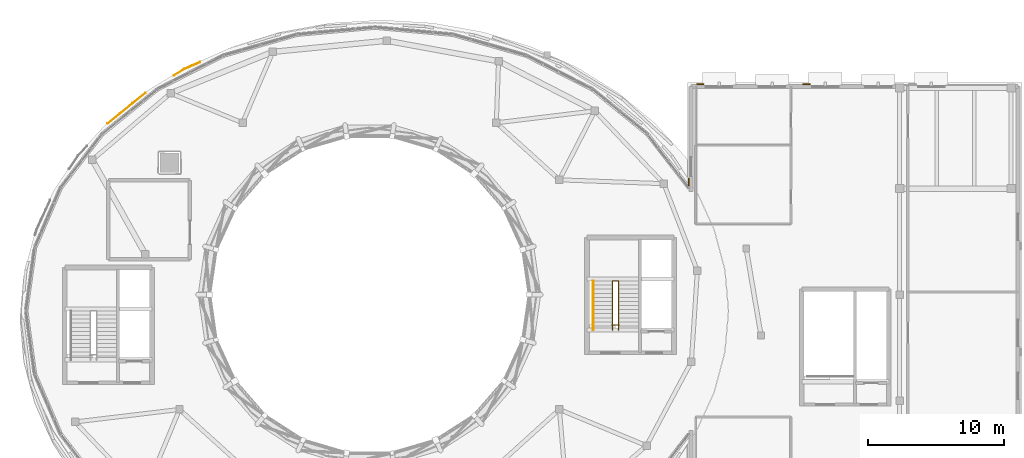
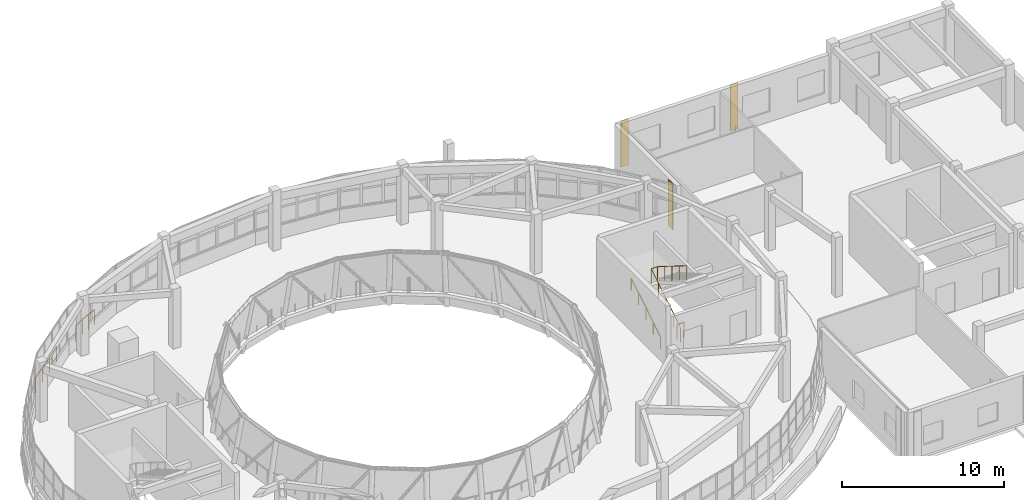
# One storey, part 45 of 46: 5 railings, 3 coverings.
"""IFC4 building model written with IfcOpenShell, lengths in metres."""

from ifc_helpers import new_model, si_unit, direction, frame, origin, origin_2d, place, context, subcontext, project, spatial, rectangle, circle, extrude, material, layer, layer_set, type_object, element, save


model = new_model("IFC4")

# Units and contexts
model_context = context("Model", 3, precision=1e-05, world=origin(), true_north=direction((0.0, 1.0)))
body_context = subcontext(model_context, "Body", "Model", "MODEL_VIEW")
ifc_project = project(units=[si_unit("LENGTHUNIT", "METRE"), si_unit("AREAUNIT", "SQUARE_METRE"), si_unit("VOLUMEUNIT", "CUBIC_METRE"), si_unit("PLANEANGLEUNIT", "RADIAN"), si_unit("MASSUNIT", "GRAM", prefix="KILO")], contexts=[model_context])

# Site, building, storey
site_placement = place(None, origin())
site = spatial("IfcSite", under=ifc_project, at=site_placement, CompositionType="ELEMENT")
building_placement = place(site_placement, origin())
building = spatial("IfcBuilding", under=site, at=building_placement, Name="Pelvatis Terrace Science Centre", CompositionType="ELEMENT")
storey_placement = place(building_placement, frame((0.0, 0.0, 19.800048828125)))
storey = spatial("IfcBuildingStorey", under=building, at=storey_placement, Name="L04", CompositionType="ELEMENT", Elevation=19.800048828125)

# Coverings
ifc_material_1 = material(Name="Fluted warm stone-aggregate precast facade relief panel", Category="masonry")
ifc_layer = layer(ifc_material_1, 0.054931640625)
ifc_layer_set = layer_set([ifc_layer], Name="Fluted warm stone-aggregate precast facade relief panel")
covering_type = type_object("IfcCoveringType", Name="COV-CLAD-PREC-55", PredefinedType="CLADDING", material=ifc_layer_set)
for number, where, z_axis, x_axis, name in (
    (1, (133.530029296875, 101.2724609375, 0.06005859375), (0.0, 0.0, 1.0), (1.0, 0.0, 0.0), "Classical fluted stone pilaster strip 80"),
    (2, (141.330078125, 101.2724609375, 0.06005859375), (0.0, 0.0, 1.0), (1.0, 0.0, 0.0), "Classical fluted stone pilaster strip 81"),
):
    element("IfcCovering", number, at=place(storey_placement, frame(where, z_axis=z_axis, x_axis=x_axis)), inside=storey, type_object=covering_type, Name=name, PredefinedType="CLADDING", context=body_context, shape_type="SweptSolid", body=[
        extrude(rectangle(XDim=0.550048828125, YDim=0.054931640625, at=origin_2d()), origin(), (0.0, 0.0, 1.0), 3.449951171875),
    ])
covering_placement = place(storey_placement, frame((132.677490234375, 94.080078125, 0.06005859375), z_axis=(0.0, 0.0, 1.0), x_axis=(1.0, 0.0, 0.0)))
element("IfcCovering", 3, at=covering_placement, inside=storey, type_object=covering_type, Name="Classical fluted stone pilaster strip 87", PredefinedType="CLADDING", context=body_context, shape_type="SweptSolid", body=[
    extrude(rectangle(XDim=0.054931640625, YDim=0.550048828125, at=origin_2d()), origin(), (0.0, 0.0, 1.0), 3.449951171875),
])

# Railings
ifc_material_2 = material(Name="Bronze-anodised aluminium and laminated safety glass balustrade", Category="aluminium")
railing_type_1 = type_object("IfcRailingType", Name="RLG-BAL-1150", PredefinedType="BALUSTRADE", material=ifc_material_2)
railing_1_placement = place(storey_placement, frame((89.9326171875, 98.374755859375, 0.0)))
element("IfcRailing", 4, at=railing_1_placement, inside=storey, type_object=railing_type_1, Name="Perimeter edge balustrade RLG-EDG-L04-386", PredefinedType="BALUSTRADE", context=body_context, shape_type="SweptSolid", body=[
    extrude(circle(Radius=0.02392578125, at=origin_2d()), frame((0.0, 0.0, 1.1259765625), z_axis=(0.775995585182, 0.630738338599, 0.0), x_axis=(-0.630738338599, 0.775995585182, 0.0)), (0.0, 0.0, 1.0), 3.59521484375),
    extrude(circle(Radius=0.02099609375, at=origin_2d()), origin(), (0.0, 0.0, 1.0), 1.101806640625),
    extrude(circle(Radius=0.02099609375, at=origin_2d()), frame((0.929931640625, 0.755859375, 0.0)), (0.0, 0.0, 1.0), 1.101806640625),
    extrude(circle(Radius=0.02099609375, at=origin_2d()), frame((1.85986328125, 1.51171875, 0.0)), (0.0, 0.0, 1.0), 1.101806640625),
    extrude(circle(Radius=0.02099609375, at=origin_2d()), frame((2.789794921875, 2.267578125, 0.0)), (0.0, 0.0, 1.0), 1.101806640625),
])
railing_2_placement = place(storey_placement, frame((94.81103515625, 101.91748046875, 0.0)))
element("IfcRailing", 5, at=railing_2_placement, inside=storey, type_object=railing_type_1, Name="Perimeter edge balustrade RLG-EDG-L04-387", PredefinedType="BALUSTRADE", context=body_context, shape_type="SweptSolid", body=[
    extrude(circle(Radius=0.02392578125, at=origin_2d()), frame((0.0, 0.0, 1.1259765625), z_axis=(0.85364754379, 0.520851102505, 0.0), x_axis=(-0.520851102505, 0.85364754379, 0.0)), (0.0, 0.0, 1.0), 0.890625),
    extrude(circle(Radius=0.02392578125, at=origin_2d()), frame((0.76025390625, 0.4638671875, 1.1259765625), z_axis=(0.913524848842, 0.406782928044, 0.0), x_axis=(-0.406782928044, 0.913524848842, 0.0)), (0.0, 0.0, 1.0), 1.26513671875),
    extrude(circle(Radius=0.02099609375, at=origin_2d()), origin(), (0.0, 0.0, 1.0), 1.101806640625),
    extrude(circle(Radius=0.02099609375, at=origin_2d()), frame((0.76025390625, 0.4638671875, 0.0)), (0.0, 0.0, 1.0), 1.101806640625),
    extrude(circle(Radius=0.02099609375, at=origin_2d()), frame((1.338134765625, 0.72119140625, 0.0)), (0.0, 0.0, 1.0), 1.101806640625),
    extrude(circle(Radius=0.02099609375, at=origin_2d()), frame((1.916015625, 0.978515625, 0.0)), (0.0, 0.0, 1.0), 1.101806640625),
])
ifc_material_3 = material(Name="Brushed architectural bronze tubular railing", Category="steel")
railing_type_2 = type_object("IfcRailingType", Name="RLG-GRD-1120", PredefinedType="GUARDRAIL", material=ifc_material_3)
railing_3_placement = place(storey_placement, frame((127.080078125, 83.199951171875, 0.0)))
element("IfcRailing", 6, at=railing_3_placement, inside=storey, type_object=railing_type_2, Name="Stair ST-02-L04 inner well guardrail", PredefinedType="GUARDRAIL", context=body_context, shape_type="SweptSolid", body=[
    extrude(circle(Radius=0.02392578125, at=origin_2d()), frame((0.0, 0.0, 1.09619140625), z_axis=(0.0, 0.848004765453, 0.529988601547), x_axis=(-1.0, 0.0, 0.0)), (0.0, 0.0, 1.0), 4.245361328125),
    extrude(circle(Radius=0.02392578125, at=origin_2d()), frame((0.0, 3.60009765625, 3.34619140625), z_axis=(1.0, 0.0, 0.0), x_axis=(0.0, 1.0, 0.0)), (0.0, 0.0, 1.0), 0.43994140625),
    extrude(circle(Radius=0.02392578125, at=origin_2d()), frame((0.43994140625, 3.60009765625, 3.34619140625), z_axis=(0.0, -0.848004765453, 0.529988601547), x_axis=(1.0, 0.0, 0.0)), (0.0, 0.0, 1.0), 4.245361328125),
    extrude(circle(Radius=0.02099609375, at=origin_2d()), origin(), (0.0, 0.0, 1.0), 1.072021484375),
    extrude(circle(Radius=0.02099609375, at=origin_2d()), frame((0.0, 0.89990234375, 0.5625)), (0.0, 0.0, 1.0), 1.072021484375),
    extrude(circle(Radius=0.02099609375, at=origin_2d()), frame((0.0, 1.800048828125, 1.125)), (0.0, 0.0, 1.0), 1.072021484375),
    extrude(circle(Radius=0.02099609375, at=origin_2d()), frame((0.0, 2.7001953125, 1.6875)), (0.0, 0.0, 1.0), 1.072021484375),
    extrude(circle(Radius=0.02099609375, at=origin_2d()), frame((0.0, 3.60009765625, 2.25)), (0.0, 0.0, 1.0), 1.072021484375),
    extrude(circle(Radius=0.02099609375, at=origin_2d()), frame((0.43994140625, 3.60009765625, 2.25)), (0.0, 0.0, 1.0), 1.072021484375),
    extrude(circle(Radius=0.02099609375, at=origin_2d()), frame((0.43994140625, 2.7001953125, 2.8125)), (0.0, 0.0, 1.0), 1.072021484375),
    extrude(circle(Radius=0.02099609375, at=origin_2d()), frame((0.43994140625, 1.800048828125, 3.375)), (0.0, 0.0, 1.0), 1.072021484375),
    extrude(circle(Radius=0.02099609375, at=origin_2d()), frame((0.43994140625, 0.89990234375, 3.9375)), (0.0, 0.0, 1.0), 1.072021484375),
    extrude(circle(Radius=0.02099609375, at=origin_2d()), frame((0.43994140625, 0.0, 4.5)), (0.0, 0.0, 1.0), 1.072021484375),
])
railing_4_placement = place(storey_placement, frame((127.050048828125, 83.580078125, 0.0)))
element("IfcRailing", 7, at=railing_4_placement, inside=storey, type_object=railing_type_2, Name="Core C2 landing well slot guard (L04)", PredefinedType="GUARDRAIL", context=body_context, shape_type="SweptSolid", body=[
    extrude(circle(Radius=0.02392578125, at=origin_2d()), frame((0.0, 0.0, 1.09619140625), z_axis=(1.0, 0.0, 0.0), x_axis=(0.0, 1.0, 0.0)), (0.0, 0.0, 1.0), 0.5),
    extrude(circle(Radius=0.02099609375, at=origin_2d()), origin(), (0.0, 0.0, 1.0), 1.072021484375),
    extrude(circle(Radius=0.02099609375, at=origin_2d()), frame((0.5, 0.0, 0.0)), (0.0, 0.0, 1.0), 1.072021484375),
])
ifc_material_4 = material(Name="Brushed architectural bronze tubular railing", Category="steel")
railing_type_3 = type_object("IfcRailingType", Name="RLG-HND-0900", PredefinedType="HANDRAIL", material=ifc_material_4)
railing_5_placement = place(storey_placement, frame((125.659912109375, 83.199951171875, 0.0)))
element("IfcRailing", 8, at=railing_5_placement, inside=storey, type_object=railing_type_3, Name="Stair ST-02-L04 wall handrail", PredefinedType="HANDRAIL", context=body_context, shape_type="SweptSolid", body=[
    extrude(circle(Radius=0.02392578125, at=origin_2d()), frame((0.0, 0.0, 0.8759765625), z_axis=(0.0, 0.848004765453, 0.529988601547), x_axis=(-1.0, 0.0, 0.0)), (0.0, 0.0, 1.0), 4.245361328125),
    extrude(circle(Radius=0.02099609375, at=origin_2d()), origin(), (0.0, 0.0, 1.0), 0.851806640625),
    extrude(circle(Radius=0.02099609375, at=origin_2d()), frame((0.0, 0.89990234375, 0.5625)), (0.0, 0.0, 1.0), 0.851806640625),
    extrude(circle(Radius=0.02099609375, at=origin_2d()), frame((0.0, 1.800048828125, 1.125)), (0.0, 0.0, 1.0), 0.851806640625),
    extrude(circle(Radius=0.02099609375, at=origin_2d()), frame((0.0, 2.7001953125, 1.6875)), (0.0, 0.0, 1.0), 0.851806640625),
    extrude(circle(Radius=0.02099609375, at=origin_2d()), frame((0.0, 3.60009765625, 2.25)), (0.0, 0.0, 1.0), 0.851806640625),
])

save(model, "model.ifc")
